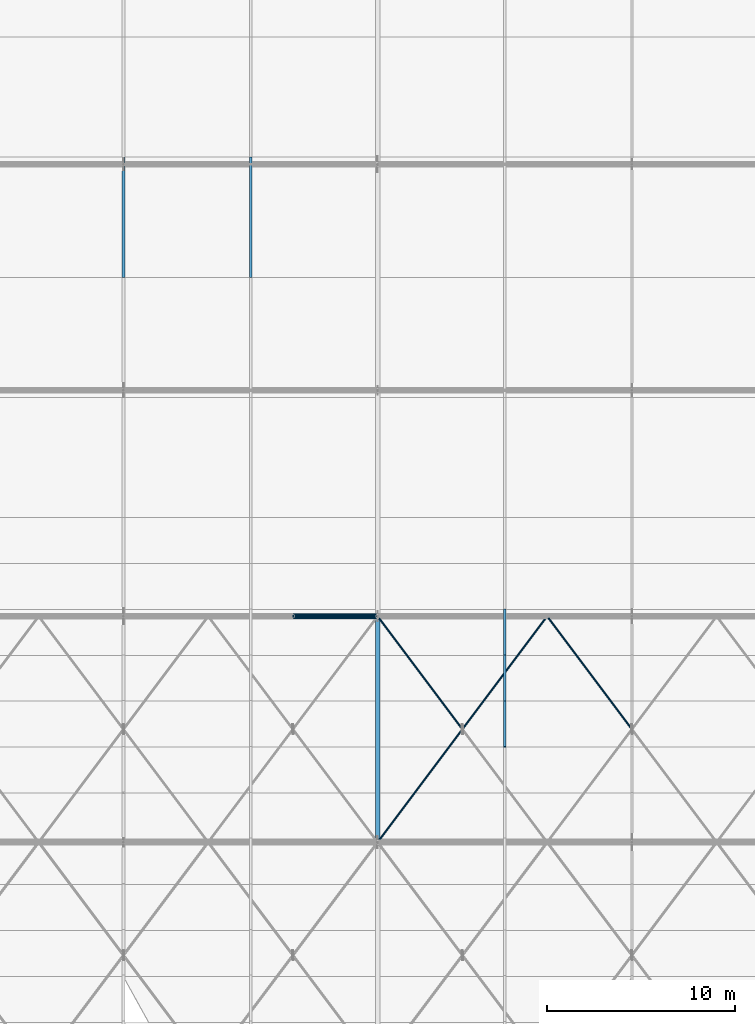
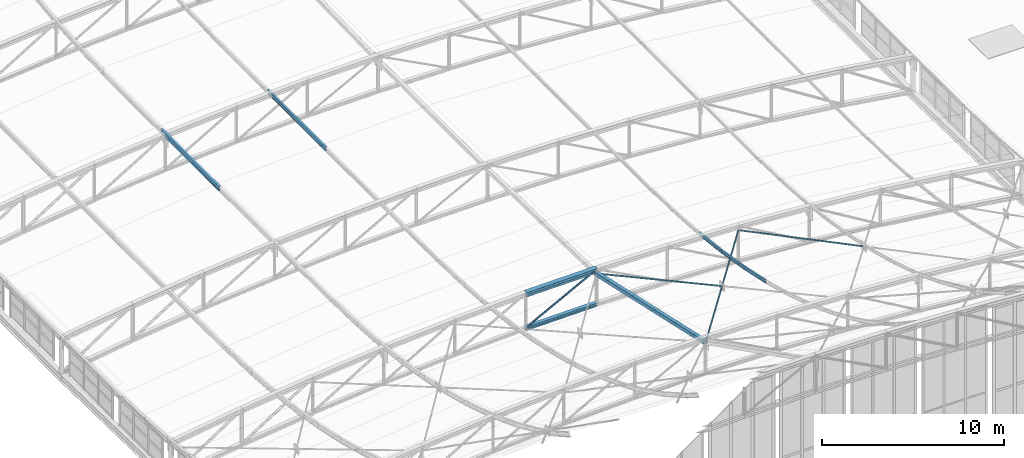
# One storey, part 89 of 262: 12 members.
"""IFC4 building model written with IfcOpenShell, lengths in metres."""

from ifc_helpers import new_model, si_unit, derived_unit, direction, frame, origin, origin_2d, place, context, subcontext, project, spatial, hollow_rectangle, hollow_circle, i_section, extrude, material, material_profile, profile_set, type_object, element, save


model = new_model("IFC4")

# Units and contexts
model_context = context("Model", 3, precision=1e-05, world=origin(), true_north=direction((0.0, 1.0)))
body_context = subcontext(model_context, "Body", "Model", "MODEL_VIEW")
ifc_project = project(units=[si_unit("LENGTHUNIT", "METRE"), si_unit("AREAUNIT", "SQUARE_METRE"), si_unit("VOLUMEUNIT", "CUBIC_METRE"), si_unit("PLANEANGLEUNIT", "RADIAN"), si_unit("MASSUNIT", "GRAM", prefix="KILO"), derived_unit("THERMALTRANSMITTANCEUNIT", [(si_unit("POWERUNIT", "WATT"), 1), (si_unit("LENGTHUNIT", "METRE"), -2), (si_unit("THERMODYNAMICTEMPERATUREUNIT", "KELVIN"), -1)])], contexts=[model_context])

# Site, building, storey
site_placement = place(None, origin())
site = spatial("IfcSite", under=ifc_project, at=site_placement, CompositionType="ELEMENT")
building_placement = place(site_placement, origin())
building = spatial("IfcBuilding", under=site, at=building_placement, Name="Almenara Railside Exhibition Hall", CompositionType="ELEMENT")
storey_placement = place(building_placement, frame((0.0, 0.0, 21.699951171875)))
storey = spatial("IfcBuildingStorey", under=building, at=storey_placement, Name="RF", CompositionType="ELEMENT", Elevation=21.699951171875)

# Members
ifc_material = material(Name="Structural steel S355JR", Category="steel")
ifc_material_profile_1 = material_profile(ifc_material, i_section(OverallWidth=0.239990234375, OverallDepth=0.239990234375, WebThickness=0.010009765625, FlangeThickness=0.01708984375, FilletRadius=0.02099609375, at=origin_2d()), Name="HEB 240")
ifc_profile_set_1 = profile_set([ifc_material_profile_1], Name="Structural steel S355JR")
member_type_1 = type_object("IfcMemberType", Name="Arched Crown Bottom Chord HEB 240 S355JR", PredefinedType="CHORD", material=ifc_profile_set_1)
member_1_placement = place(storey_placement, frame((34.5, 72.0, 0.003662109375), z_axis=(0.999908030213, 0.0, 0.013562120635), x_axis=(0.0, 1.0, 0.0)))
element("IfcMember", 1, at=member_1_placement, inside=storey, type_object=member_type_1, Name="MEM-BC-V1-02-05", PredefinedType="CHORD", context=body_context, shape_type="SweptSolid", body=[
    extrude(i_section(OverallWidth=0.239990234375, OverallDepth=0.239990234375, WebThickness=0.010009765625, FlangeThickness=0.01708984375, FilletRadius=0.02099609375, at=origin_2d()), origin(), (0.0, 0.0, 1.0), 4.50048828125),
])
ifc_material_profile_2 = material_profile(ifc_material, i_section(OverallWidth=0.300048828125, OverallDepth=0.300048828125, WebThickness=0.010986328125, FlangeThickness=0.01904296875, FilletRadius=0.027099609375, at=origin_2d()), Name="HEB 300")
ifc_profile_set_2 = profile_set([ifc_material_profile_2], Name="Structural steel S355JR")
member_type_2 = type_object("IfcMemberType", Name="Arched Inner Top Chord HEB 300 S355JR", PredefinedType="CHORD", material=ifc_profile_set_2)
member_2_placement = place(storey_placement, frame((34.5, 72.0, 2.3037109375), z_axis=(0.999908030213, 0.0, 0.013562120635), x_axis=(0.0, 1.0, 0.0)))
element("IfcMember", 2, at=member_2_placement, inside=storey, type_object=member_type_2, Name="MEM-TC-V1-02-05", PredefinedType="CHORD", context=body_context, shape_type="SweptSolid", body=[
    extrude(i_section(OverallWidth=0.300048828125, OverallDepth=0.300048828125, WebThickness=0.010986328125, FlangeThickness=0.01904296875, FilletRadius=0.027099609375, at=origin_2d()), origin(), (0.0, 0.0, 1.0), 4.50048828125),
])
ifc_material_profile_3 = material_profile(ifc_material, i_section(OverallWidth=0.14990234375, OverallDepth=0.300048828125, WebThickness=0.007080078125, FlangeThickness=0.0107421875, FilletRadius=0.014892578125, at=origin_2d()), Name="IPE 300")
ifc_profile_set_3 = profile_set([ifc_material_profile_3], Name="Structural steel S355JR")
member_type_3 = type_object("IfcMemberType", Name="East Hall Ridge Purlin IPE 300 S355JR", PredefinedType="PURLIN", material=ifc_profile_set_3)
member_3_placement = place(storey_placement, frame((25.5, 90.0, 1.5869140625), z_axis=(0.0, 1.0, 0.0), x_axis=(-1.0, 0.0, 0.0)))
element("IfcMember", 3, at=member_3_placement, inside=storey, type_object=member_type_3, Name="MEM-PR-V1-PR-IPE300-02-14", PredefinedType="PURLIN", context=body_context, shape_type="SweptSolid", body=[
    extrude(i_section(OverallWidth=0.14990234375, OverallDepth=0.300048828125, WebThickness=0.007080078125, FlangeThickness=0.0107421875, FilletRadius=0.014892578125, at=origin_2d()), origin(), (0.0, 0.0, 1.0), 6.3798828125),
])
ifc_material_profile_4 = material_profile(ifc_material, i_section(OverallWidth=0.135009765625, OverallDepth=0.27001953125, WebThickness=0.006591796875, FlangeThickness=0.01025390625, FilletRadius=0.014892578125, at=origin_2d()), Name="IPE 270")
ifc_profile_set_4 = profile_set([ifc_material_profile_4], Name="Structural steel S355JR")
member_type_4 = type_object("IfcMemberType", Name="East Hall Standard Purlin IPE 270 S355JR", PredefinedType="PURLIN", material=ifc_profile_set_4)
member_4_placement = place(storey_placement, frame((32.25, 90.0, 1.8798828125), z_axis=(0.0, 1.0, 0.0), x_axis=(-1.0, 0.0, 0.0)))
element("IfcMember", 4, at=member_4_placement, inside=storey, type_object=member_type_4, Name="MEM-PR-V1-PR-IPE270-03-14", PredefinedType="PURLIN", context=body_context, shape_type="SweptSolid", body=[
    extrude(i_section(OverallWidth=0.135009765625, OverallDepth=0.27001953125, WebThickness=0.006591796875, FlangeThickness=0.01025390625, FilletRadius=0.014892578125, at=origin_2d()), origin(), (0.0, 0.0, 1.0), 6.3798828125),
])
ifc_material_profile_5 = material_profile(ifc_material, hollow_rectangle(XDim=0.25, YDim=0.25, WallThickness=0.010009765625, InnerFilletRadius=0.010009765625, OuterFilletRadius=0.02001953125, at=origin_2d()), Name="SHS 250x250x10")
ifc_profile_set_5 = profile_set([ifc_material_profile_5], Name="Structural steel S355JR")
member_type_5 = type_object("IfcMemberType", Name="Heavy Gable Sway Strut SHS 250x250x10 S355JR", PredefinedType="BRACE", material=ifc_profile_set_5)
member_5_placement = place(storey_placement, frame((39.0, 60.0, 4.76123046875), z_axis=(0.0, 0.976017158666, -0.217693605763), x_axis=(-1.0, 0.0, 0.0)))
element("IfcMember", 5, at=member_5_placement, inside=storey, type_object=member_type_5, Name="MEM-ES-V1-01", PredefinedType="BRACE", context=body_context, shape_type="SweptSolid", body=[
    extrude(hollow_rectangle(XDim=0.25, YDim=0.25, WallThickness=0.010009765625, InnerFilletRadius=0.010009765625, OuterFilletRadius=0.02001953125, at=origin_2d()), origin(), (0.0, 0.0, 1.0), 12.294921875),
])
ifc_material_profile_6 = material_profile(ifc_material, i_section(OverallWidth=0.110107421875, OverallDepth=0.219970703125, WebThickness=0.005859375, FlangeThickness=0.00927734375, FilletRadius=0.011962890625, at=origin_2d()), Name="IPE 220")
ifc_profile_set_6 = profile_set([ifc_material_profile_6], Name="Structural steel S355JR")
member_type_6 = type_object("IfcMemberType", Name="Heavy Hall Roof Purlin IPE 220 S355JR", PredefinedType="PURLIN", material=ifc_profile_set_6)
member_6_placement = place(storey_placement, frame((45.75, 65.056884765625, 3.395751953125), z_axis=(0.0, 0.977496103583, -0.210953472309), x_axis=(-1.0, 0.0, 0.0)))
element("IfcMember", 6, at=member_6_placement, inside=storey, type_object=member_type_6, Name="MEM-PR-V1-PR-IPE220-05-07", PredefinedType="PURLIN", context=body_context, shape_type="SweptSolid", body=[
    extrude(i_section(OverallWidth=0.110107421875, OverallDepth=0.219970703125, WebThickness=0.005859375, FlangeThickness=0.00927734375, FilletRadius=0.011962890625, at=origin_2d()), origin(), (0.0, 0.0, 1.0), 2.492919921875),
])
member_7_placement = place(storey_placement, frame((45.75, 67.49365234375, 2.872802734375), z_axis=(0.0, 0.986449960692, -0.164062412058), x_axis=(-1.0, 0.0, 0.0)))
element("IfcMember", 7, at=member_7_placement, inside=storey, type_object=member_type_6, Name="MEM-PR-V1-PR-IPE220-05-08", PredefinedType="PURLIN", context=body_context, shape_type="SweptSolid", body=[
    extrude(i_section(OverallWidth=0.110107421875, OverallDepth=0.219970703125, WebThickness=0.005859375, FlangeThickness=0.00927734375, FilletRadius=0.011962890625, at=origin_2d()), origin(), (0.0, 0.0, 1.0), 2.47021484375),
])
member_8_placement = place(storey_placement, frame((45.75, 69.930419921875, 2.469482421875), z_axis=(0.0, 0.993117280569, -0.117124152227), x_axis=(-1.0, 0.0, 0.0)))
element("IfcMember", 8, at=member_8_placement, inside=storey, type_object=member_type_6, Name="MEM-PR-V1-PR-IPE220-05-09", PredefinedType="PURLIN", context=body_context, shape_type="SweptSolid", body=[
    extrude(i_section(OverallWidth=0.110107421875, OverallDepth=0.219970703125, WebThickness=0.005859375, FlangeThickness=0.00927734375, FilletRadius=0.011962890625, at=origin_2d()), origin(), (0.0, 0.0, 1.0), 2.453369140625),
])
ifc_material_profile_7 = material_profile(ifc_material, hollow_circle(Radius=0.05078125, WallThickness=0.00390625, at=origin_2d()), Name="CHS 101.6x4")
ifc_profile_set_7 = profile_set([ifc_material_profile_7], Name="Structural steel S355JR")
member_type_7 = type_object("IfcMemberType", Name="Scroll Wind Plan Brace CHS 101.6x4 S355JR", PredefinedType="BRACE", material=ifc_profile_set_7)
member_9_placement = place(storey_placement, frame((39.0, 60.0, 4.76123046875), z_axis=(0.588938082067, 0.785250776089, -0.19113648041), x_axis=(-0.8, 0.6, 0.0)))
element("IfcMember", 9, at=member_9_placement, inside=storey, type_object=member_type_7, Name="MEM-WB-V1-WB-CHS102-01-06-C", PredefinedType="BRACE", context=body_context, shape_type="SweptSolid", body=[
    extrude(hollow_circle(Radius=0.05078125, WallThickness=0.00390625, at=origin_2d()), origin(), (0.0, 0.0, 1.0), 15.28173828125),
])
member_10_placement = place(storey_placement, frame((43.467529296875, 66.043212890625, 3.2919921875), z_axis=(-0.592260313902, 0.789691207109, -0.160048486379), x_axis=(-0.80000393459, -0.599994753845, 0.0)))
element("IfcMember", 10, at=member_10_placement, inside=storey, type_object=member_type_7, Name="MEM-WB-V1-WB-CHS102-01-06-S2", PredefinedType="BRACE", context=body_context, shape_type="SweptSolid", body=[
    extrude(hollow_circle(Radius=0.05078125, WallThickness=0.00390625, at=origin_2d()), origin(), (0.0, 0.0, 1.0), 7.543212890625),
])
member_11_placement = place(storey_placement, frame((52.46728515625, 66.04345703125, 2.804931640625), z_axis=(-0.595016918784, 0.793377570472, -0.128479169642), x_axis=(-0.800007869506, -0.599989507182, 0.0)))
element("IfcMember", 11, at=member_11_placement, inside=storey, type_object=member_type_7, Name="MEM-WB-V1-WB-CHS102-01-08-S2", PredefinedType="BRACE", context=body_context, shape_type="SweptSolid", body=[
    extrude(hollow_circle(Radius=0.05078125, WallThickness=0.00390625, at=origin_2d()), origin(), (0.0, 0.0, 1.0), 7.5078125),
])
ifc_material_profile_8 = material_profile(ifc_material, hollow_circle(Radius=0.0634765625, WallThickness=0.00439453125, at=origin_2d()), Name="CHS 127.0x4.5")
ifc_profile_set_8 = profile_set([ifc_material_profile_8], Name="Structural steel S355JR")
member_type_8 = type_object("IfcMemberType", Name="Truss Crown Diagonal CHS 127.0x4.5 S355JR", PredefinedType="BRACE", material=ifc_profile_set_8)
member_12_placement = place(storey_placement, frame((34.5, 72.0, 0.003662109375), z_axis=(0.885512555589, 0.0, 0.464615447326), x_axis=(0.0, 1.0, 0.0)))
element("IfcMember", 12, at=member_12_placement, inside=storey, type_object=member_type_8, Name="MEM-TD-V1-02-05", PredefinedType="BRACE", context=body_context, shape_type="SweptSolid", body=[
    extrude(hollow_circle(Radius=0.0634765625, WallThickness=0.00439453125, at=origin_2d()), origin(), (0.0, 0.0, 1.0), 5.081787109375),
])

save(model, "model.ifc")
